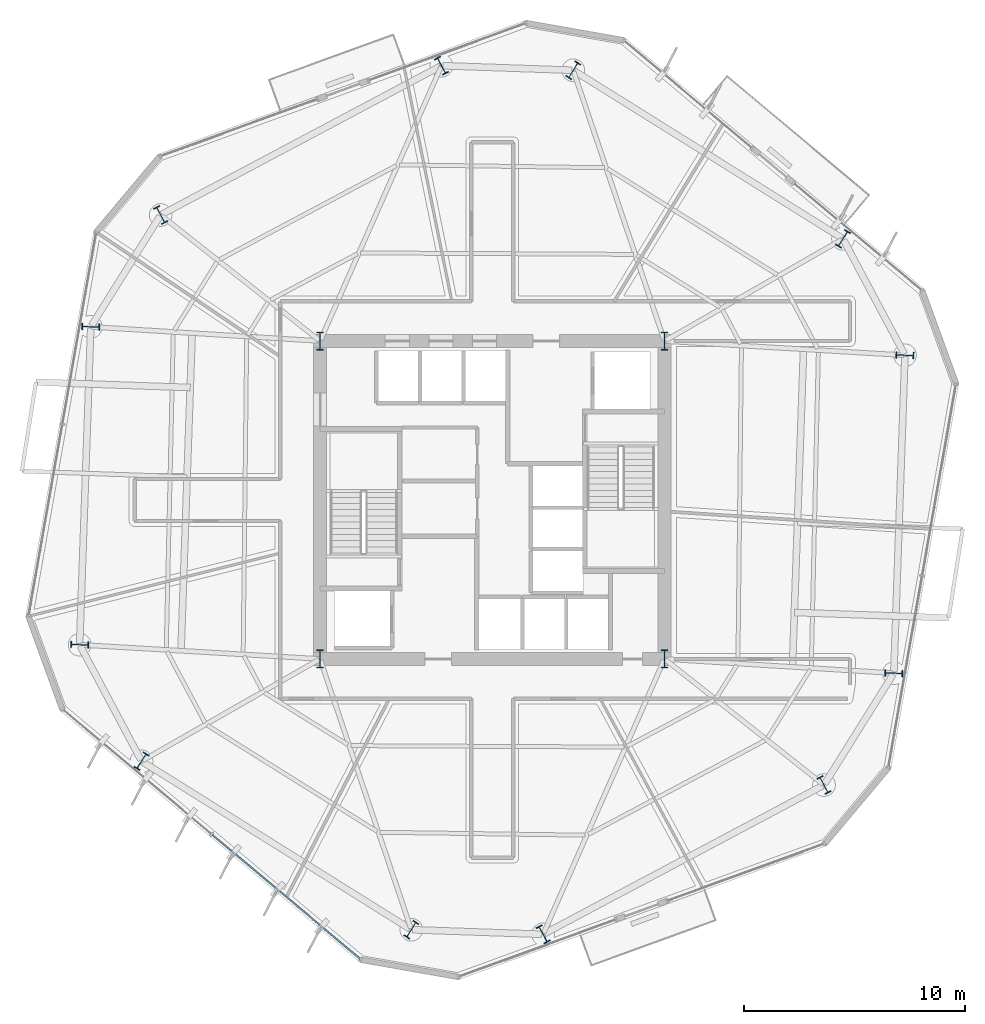
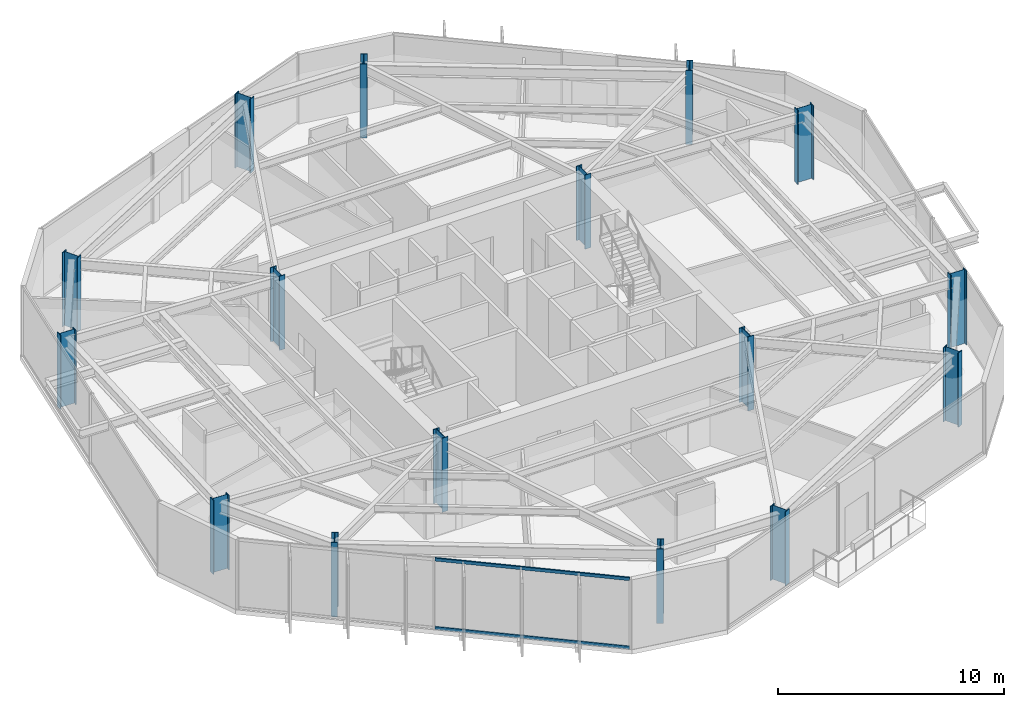
# One storey, part 1 of 13: 16 columns, 2 members, 1 element without a shape of its own.
"""IFC4 building model written with IfcOpenShell, lengths in metres."""

from ifc_helpers import new_model, si_unit, direction, frame, origin, origin_2d, place, context, subcontext, project, spatial, rectangle, i_section, extrude, material, layer, layer_set, material_profile, profile_set, type_object, element, aggregate, save


model = new_model("IFC4")

# Units and contexts
model_context = context("Model", 3, precision=1e-05, world=origin(), true_north=direction((0.0, 1.0)))
body_context = subcontext(model_context, "Body", "Model", "MODEL_VIEW")
ifc_project = project(units=[si_unit("LENGTHUNIT", "METRE"), si_unit("AREAUNIT", "SQUARE_METRE"), si_unit("VOLUMEUNIT", "CUBIC_METRE"), si_unit("PLANEANGLEUNIT", "RADIAN"), si_unit("MASSUNIT", "GRAM", prefix="KILO")], contexts=[model_context])

# Site, building, storey
site_placement = place(None, origin())
site = spatial("IfcSite", under=ifc_project, at=site_placement, CompositionType="ELEMENT")
building_placement = place(site_placement, origin())
building = spatial("IfcBuilding", under=site, at=building_placement, Name="Kranzbogen Civic Tower", CompositionType="ELEMENT")
storey_placement = place(building_placement, frame((0.0, 0.0, 102.39990234375)))
storey = spatial("IfcBuildingStorey", under=building, at=storey_placement, Name="L24", CompositionType="ELEMENT", Elevation=102.39990234375)

# Columns
ifc_material_1 = material(Name="Steel S460", Category="steel")
ifc_material_profile_1 = material_profile(ifc_material_1, i_section(OverallWidth=0.302978515625, OverallDepth=0.81396484375, WebThickness=0.02099609375, FlangeThickness=0.0400390625, at=origin_2d()), Name="HEM 800")
ifc_profile_set_1 = profile_set([ifc_material_profile_1], Name="Steel S460")
column_type = type_object("IfcColumnType", Name="Structural Column HEM 800", PredefinedType="COLUMN", material=ifc_profile_set_1)
for number, where, z_axis, x_axis, name in (
    (1, (17.199951171875, 17.800048828125, 0.0), (0.0, 0.0, 1.0), (1.0, 0.0, 0.0), "L24 composite core corner column 1"),
    (2, (32.800048828125, 17.800048828125, 0.0), (0.0, 0.0, 1.0), (1.0, 0.0, 0.0), "L24 composite core corner column 2"),
    (3, (32.800048828125, 32.199951171875, 0.0), (0.0, 0.0, 1.0), (1.0, 0.0, 0.0), "L24 composite core corner column 3"),
    (4, (17.199951171875, 32.199951171875, 0.0), (0.0, 0.0, 1.0), (1.0, 0.0, 0.0), "L24 composite core corner column 4"),
    (5, (40.885986328125, 36.8291015625, 0.0), (0.0, 0.0, 1.0), (-0.848048096156, 0.529919264233, 0.0), "L24 tower perimeter tube column 01"),
    (6, (28.66796875, 44.464111328125, 0.0), (0.0, 0.0, 1.0), (-0.848048096156, 0.529919264233, 0.0), "L24 tower perimeter tube column 02"),
    (7, (22.698974609375, 44.672119140625, 0.0), (0.0, 0.0, 1.0), (0.882947592859, 0.469471562786, 0.0), "L24 tower perimeter tube column 03"),
    (8, (9.97705078125, 37.907958984375, 0.0), (0.0, 0.0, 1.0), (0.882947592859, 0.469471562786, 0.0), "L24 tower perimeter tube column 04"),
    (9, (6.81298828125, 32.843994140625, 0.0), (0.0, 0.0, 1.0), (0.034899496703, 0.999390827019, 0.0), "L24 tower perimeter tube column 05"),
    (10, (6.31005859375, 18.444091796875, 0.0), (0.0, 0.0, 1.0), (0.034899496703, 0.999390827019, 0.0), "L24 tower perimeter tube column 06"),
    (11, (9.114013671875, 13.1708984375, 0.0), (0.0, 0.0, 1.0), (-0.848048096156, 0.529919264233, 0.0), "L24 tower perimeter tube column 07"),
    (12, (21.33203125, 5.535888671875, 0.0), (0.0, 0.0, 1.0), (-0.848048096156, 0.529919264233, 0.0), "L24 tower perimeter tube column 08"),
    (13, (27.301025390625, 5.327880859375, 0.0), (0.0, 0.0, 1.0), (0.882947592859, 0.469471562786, 0.0), "L24 tower perimeter tube column 09"),
    (14, (40.02294921875, 12.092041015625, 0.0), (0.0, 0.0, 1.0), (0.882947592859, 0.469471562786, 0.0), "L24 tower perimeter tube column 10"),
    (15, (43.18701171875, 17.156005859375, 0.0), (0.0, 0.0, 1.0), (0.034899496703, 0.999390827019, 0.0), "L24 tower perimeter tube column 11"),
    (16, (43.68994140625, 31.555908203125, 0.0), (0.0, 0.0, 1.0), (0.034899496703, 0.999390827019, 0.0), "L24 tower perimeter tube column 12"),
):
    element("IfcColumn", number, at=place(storey_placement, frame(where, z_axis=z_axis, x_axis=x_axis)), inside=storey, type_object=column_type, Name=name, PredefinedType="COLUMN", context=body_context, shape_type="SweptSolid", body=[
        extrude(i_section(OverallWidth=0.302978515625, OverallDepth=0.81396484375, WebThickness=0.02099609375, FlangeThickness=0.0400390625, at=origin_2d()), origin(), (0.0, 0.0, 1.0), 4.0),
    ])

# Curtain wall, members
ifc_material_2 = material(Name="Pale Anodised Aluminium", Category="aluminium")
ifc_layer = layer(ifc_material_2, 0.219970703125, Name="Pale Anodised Aluminium")
ifc_layer_set = layer_set([ifc_layer], Name="Pale Anodised Aluminium")
curtain_wall_type = type_object("IfcCurtainWallType", Name="Zone 2 Stick Curtain Wall System CW-03", PredefinedType="USERDEFINED", material=ifc_layer_set)
curtain_wall_placement = place(storey_placement, origin())
curtain_wall = element("IfcCurtainWall", 17, at=curtain_wall_placement, inside=storey, type_object=curtain_wall_type, Name="L24 curtain wall CW-L24-F4", ObjectType="STICK CURTAIN WALL", PredefinedType="USERDEFINED")
ifc_material_profile_2 = material_profile(ifc_material_2, rectangle(XDim=0.074951171875, YDim=0.1650390625, at=origin_2d()), Name="ALU-T 75x165")
ifc_profile_set_2 = profile_set([ifc_material_profile_2], Name="Pale Anodised Aluminium")
member_type = type_object("IfcMemberType", Name="Curtain Wall Transom ALU-T 75x165", PredefinedType="USERDEFINED", material=ifc_profile_set_2)
member_1_placement = place(storey_placement, frame((12.3134765625, 9.834716796875, 0.030029296875), z_axis=(0.766077116699, -0.64274866882, 0.0), x_axis=(0.64274866882, 0.766077116699, 0.0)))
member_1 = element("IfcMember", 18, at=member_1_placement, type_object=member_type, Name="CW-03 transom 2.1", ObjectType="TRANSOM", PredefinedType="USERDEFINED", context=body_context, shape_type="SweptSolid", body=[
    extrude(rectangle(XDim=0.074951171875, YDim=0.1650390625, at=origin_2d()), origin(), (0.0, 0.0, 1.0), 8.743896484375),
])
member_2_placement = place(storey_placement, frame((12.3134765625, 9.834716796875, 3.72998046875), z_axis=(0.766077116699, -0.64274866882, 0.0), x_axis=(0.64274866882, 0.766077116699, 0.0)))
member_2 = element("IfcMember", 19, at=member_2_placement, type_object=member_type, Name="CW-03 transom 2.2", ObjectType="TRANSOM", PredefinedType="USERDEFINED", context=body_context, shape_type="SweptSolid", body=[
    extrude(rectangle(XDim=0.074951171875, YDim=0.1650390625, at=origin_2d()), origin(), (0.0, 0.0, 1.0), 8.743896484375),
])
aggregate(curtain_wall, [member_1, member_2])

save(model, "model.ifc")
